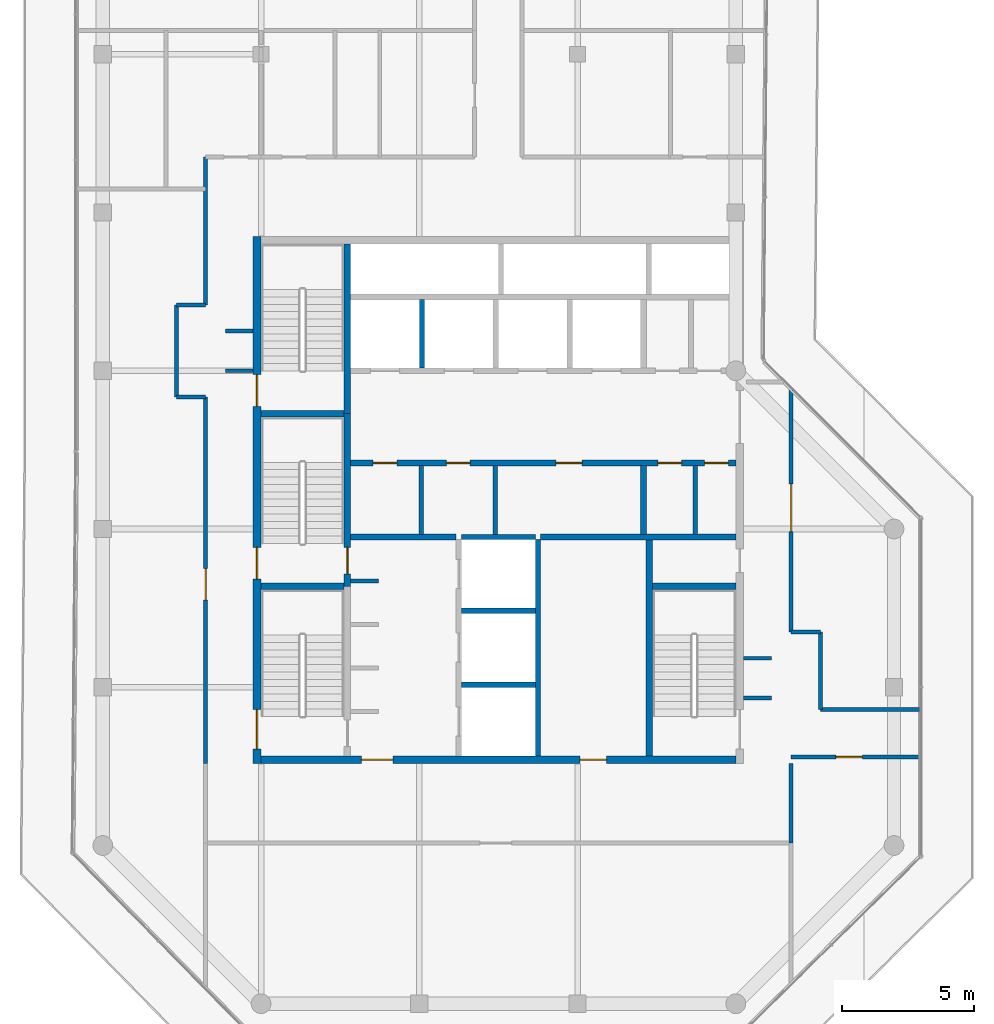
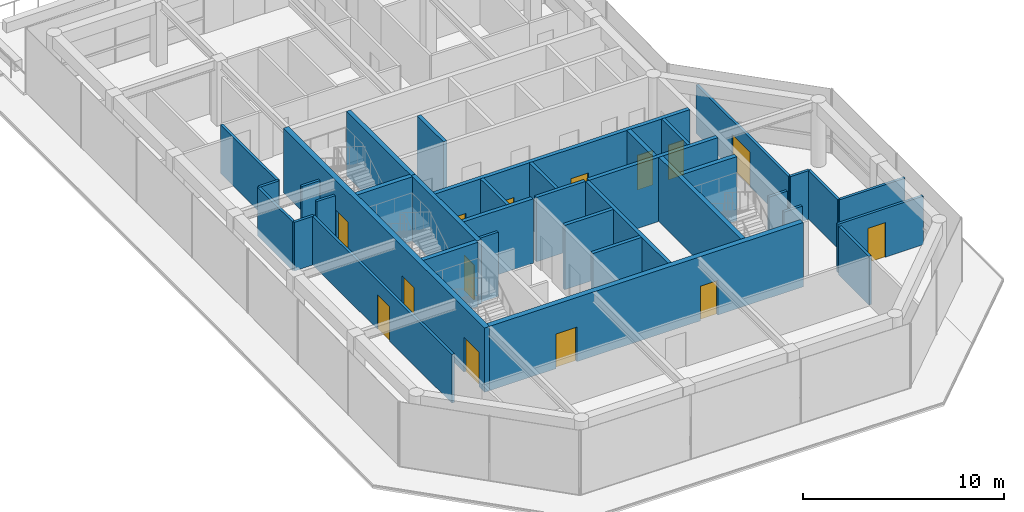
# One storey, part 13 of 17: 36 walls, 14 doors, 14 openings.
"""IFC4 building model written with IfcOpenShell, lengths in metres."""

from ifc_helpers import new_model, si_unit, direction, frame, frame_2d, origin, place, context, subcontext, project, spatial, rectangle, extrude, material, layer, layer_set, type_object, element, fill, save


model = new_model("IFC4")

# Units and contexts
model_context = context("Model", 3, precision=1e-05, world=origin(), true_north=direction((0.0, 1.0)))
body_context = subcontext(model_context, "Body", "Model", "MODEL_VIEW")
ifc_project = project(units=[si_unit("LENGTHUNIT", "METRE"), si_unit("AREAUNIT", "SQUARE_METRE"), si_unit("VOLUMEUNIT", "CUBIC_METRE"), si_unit("PLANEANGLEUNIT", "RADIAN"), si_unit("MASSUNIT", "GRAM", prefix="KILO")], contexts=[model_context])

# Site, building, storey
site_placement = place(None, origin())
site = spatial("IfcSite", under=ifc_project, at=site_placement, CompositionType="ELEMENT")
building_placement = place(site_placement, origin())
building = spatial("IfcBuilding", under=site, at=building_placement, Name="Welwitschia Terrace Campus", CompositionType="ELEMENT")
storey_placement = place(building_placement, frame((0.0, 0.0, 335.60009765625)))
storey = spatial("IfcBuildingStorey", under=building, at=storey_placement, Name="L75", CompositionType="ELEMENT", Elevation=335.60009765625)

# Walls
ifc_material_1 = material(Name="Concrete C32/40", Category="concrete")
ifc_layer_1 = layer(ifc_material_1, 0.175048828125)
ifc_layer_set_1 = layer_set([ifc_layer_1], Name="Concrete C32/40")
wall_type_1 = type_object("IfcWallType", Name="Core partition 175 Concrete C32/40", PredefinedType="PARTITIONING", material=ifc_layer_set_1)
for number, where, z_axis, x_axis, name in (
    (1, (12.074951171875, 13.800048828125, 0.0), (0.0, 0.0, 1.0), (0.0, 1.0, 0.0), "Core partition"),
    (2, (14.875, 13.800048828125, 0.0), (0.0, 0.0, 1.0), (0.0, 1.0, 0.0), "Core partition"),
    (3, (22.469970703125, 13.800048828125, 0.0), (0.0, 0.0, 1.0), (0.0, 1.0, 0.0), "Core partition"),
):
    element("IfcWall", number, at=place(storey_placement, frame(where, z_axis=z_axis, x_axis=x_axis)), inside=storey, type_object=wall_type_1, Name=name, PredefinedType="PARTITIONING", context=body_context, shape_type="SweptSolid", body=[
        extrude(rectangle(XDim=2.599853515625, YDim=0.175048828125, at=frame_2d((1.2998046875, 0.0))), origin(), (0.0, 0.0, 1.0), 3.89990234375),
    ])
ifc_material_2 = material(Name="Concrete C32/40", Category="concrete")
ifc_layer_2 = layer(ifc_material_2, 0.22509765625)
ifc_layer_set_2 = layer_set([ifc_layer_2], Name="Concrete C32/40")
wall_type_2 = type_object("IfcWallType", Name="Core partition 225 Concrete C32/40", PredefinedType="PARTITIONING", material=ifc_layer_set_2)
wall_1_placement = place(storey_placement, frame((9.39990234375, 13.699951171875, 0.0), z_axis=(0.0, 0.0, 1.0), x_axis=(1.0, 0.0, 0.0)))
element("IfcWall", 4, at=wall_1_placement, inside=storey, type_object=wall_type_2, Name="Core partition", PredefinedType="PARTITIONING", context=body_context, shape_type="SweptSolid", body=[
    extrude(rectangle(XDim=4.0, YDim=0.22509765625, at=frame_2d((2.0, 0.0))), origin(), (0.0, 0.0, 1.0), 3.89990234375),
])
wall_2_placement = place(storey_placement, frame((16.60009765625, 13.699951171875, 0.0), z_axis=(0.0, 0.0, 1.0), x_axis=(1.0, 0.0, 0.0)))
element("IfcWall", 5, at=wall_2_placement, inside=storey, type_object=wall_type_2, Name="Core partition", PredefinedType="PARTITIONING", context=body_context, shape_type="SweptSolid", body=[
    extrude(rectangle(XDim=7.39990234375, YDim=0.22509765625, at=frame_2d((3.699951171875, 0.0))), origin(), (0.0, 0.0, 1.0), 3.89990234375),
])

# Wall, openings, doors
wall_3_placement = place(storey_placement, frame((9.39990234375, 16.5, 0.0), z_axis=(0.0, 0.0, 1.0), x_axis=(1.0, 0.0, 0.0)))
wall_3 = element("IfcWall", 6, at=wall_3_placement, inside=storey, type_object=wall_type_2, Name="Core partition", PredefinedType="PARTITIONING", context=body_context, shape_type="SweptSolid", body=[
    extrude(rectangle(XDim=14.60009765625, YDim=0.22509765625, at=frame_2d((7.300048828125, 0.0))), origin(), (0.0, 0.0, 1.0), 3.89990234375),
])
opening_1_placement = place(wall_3_placement, frame((0.85009765625, 0.0, 0.0)))
opening_1 = element("IfcOpeningElement", 7, at=opening_1_placement, cuts=wall_3, Name="Opening DR09", PredefinedType="OPENING", context=body_context, shape_type="SweptSolid", body=[
    extrude(rectangle(XDim=0.89990234375, YDim=2.10009765625, at=frame_2d((0.449951171875, 1.050048828125))), frame((0.0, 0.12255859375, 0.0), z_axis=(0.0, -1.0, 0.0), x_axis=(1.0, 0.0, 0.0)), (0.0, 0.0, 1.0), 0.2451171875),
])
opening_2_placement = place(wall_3_placement, frame((3.625, 0.0, 0.0)))
opening_2 = element("IfcOpeningElement", 8, at=opening_2_placement, cuts=wall_3, Name="Opening DR09", PredefinedType="OPENING", context=body_context, shape_type="SweptSolid", body=[
    extrude(rectangle(XDim=0.89990234375, YDim=2.10009765625, at=frame_2d((0.449951171875, 1.050048828125))), frame((0.0, 0.12255859375, 0.0), z_axis=(0.0, -1.0, 0.0), x_axis=(1.0, 0.0, 0.0)), (0.0, 0.0, 1.0), 0.2451171875),
])
opening_3_placement = place(wall_3_placement, frame((7.77490234375, 0.0, 0.0)))
opening_3 = element("IfcOpeningElement", 9, at=opening_3_placement, cuts=wall_3, Name="Opening DR10", PredefinedType="OPENING", context=body_context, shape_type="SweptSolid", body=[
    extrude(rectangle(XDim=1.0, YDim=2.10009765625, at=frame_2d((0.5, 1.050048828125))), frame((0.0, 0.12255859375, 0.0), z_axis=(0.0, -1.0, 0.0), x_axis=(1.0, 0.0, 0.0)), (0.0, 0.0, 1.0), 0.2451171875),
])
opening_4_placement = place(wall_3_placement, frame((11.6474609375, 0.0, 0.0)))
opening_4 = element("IfcOpeningElement", 10, at=opening_4_placement, cuts=wall_3, Name="Opening DR09", PredefinedType="OPENING", context=body_context, shape_type="SweptSolid", body=[
    extrude(rectangle(XDim=0.89990234375, YDim=2.10009765625, at=frame_2d((0.449951171875, 1.050048828125))), frame((0.0, 0.12255859375, 0.0), z_axis=(0.0, -1.0, 0.0), x_axis=(1.0, 0.0, 0.0)), (0.0, 0.0, 1.0), 0.2451171875),
])
opening_5_placement = place(wall_3_placement, frame((13.422607421875, 0.0, 0.0)))
opening_5 = element("IfcOpeningElement", 11, at=opening_5_placement, cuts=wall_3, Name="Opening DR09", PredefinedType="OPENING", context=body_context, shape_type="SweptSolid", body=[
    extrude(rectangle(XDim=0.89990234375, YDim=2.10009765625, at=frame_2d((0.449951171875, 1.050048828125))), frame((0.0, 0.12255859375, 0.0), z_axis=(0.0, -1.0, 0.0), x_axis=(1.0, 0.0, 0.0)), (0.0, 0.0, 1.0), 0.2451171875),
])
ifc_material_3 = material(Name="Steel S275", Category="steel")
door_type_1 = type_object("IfcDoorType", Name="Core door DR09", OperationType="SINGLE_SWING_LEFT", PredefinedType="DOOR", material=ifc_material_3)
door_1_placement = place(opening_1_placement, origin())
door_1 = element("IfcDoor", 12, at=door_1_placement, inside=storey, type_object=door_type_1, Name="Door BAYL1-D", OperationType="SINGLE_SWING_LEFT", OverallHeight=2.10009765625, OverallWidth=0.89990234375, PredefinedType="DOOR", context=body_context, shape_type="SweptSolid", body=[
    extrude(rectangle(XDim=0.89990234375, YDim=2.10009765625, at=frame_2d((0.449951171875, 1.050048828125))), frame((0.0, 0.02490234375, 0.0), z_axis=(0.0, -1.0, 0.0), x_axis=(1.0, 0.0, 0.0)), (0.0, 0.0, 1.0), 0.050048828125),
])
fill(opening_1, door_1)
door_2_placement = place(opening_2_placement, origin())
door_2 = element("IfcDoor", 13, at=door_2_placement, inside=storey, type_object=door_type_1, Name="Door BAYL2-D", OperationType="SINGLE_SWING_LEFT", OverallHeight=2.10009765625, OverallWidth=0.89990234375, PredefinedType="DOOR", context=body_context, shape_type="SweptSolid", body=[
    extrude(rectangle(XDim=0.89990234375, YDim=2.10009765625, at=frame_2d((0.449951171875, 1.050048828125))), frame((0.0, 0.02490234375, 0.0), z_axis=(0.0, -1.0, 0.0), x_axis=(1.0, 0.0, 0.0)), (0.0, 0.0, 1.0), 0.050048828125),
])
fill(opening_2, door_2)
door_3_placement = place(opening_4_placement, origin())
door_3 = element("IfcDoor", 14, at=door_3_placement, inside=storey, type_object=door_type_1, Name="Door EL1-D", OperationType="SINGLE_SWING_RIGHT", OverallHeight=2.10009765625, OverallWidth=0.89990234375, PredefinedType="DOOR", context=body_context, shape_type="SweptSolid", body=[
    extrude(rectangle(XDim=0.89990234375, YDim=2.10009765625, at=frame_2d((0.449951171875, 1.050048828125))), frame((0.0, 0.02490234375, 0.0), z_axis=(0.0, -1.0, 0.0), x_axis=(1.0, 0.0, 0.0)), (0.0, 0.0, 1.0), 0.050048828125),
])
fill(opening_4, door_3)
door_4_placement = place(opening_5_placement, origin())
door_4 = element("IfcDoor", 15, at=door_4_placement, inside=storey, type_object=door_type_1, Name="Door EL2-D", OperationType="SINGLE_SWING_RIGHT", OverallHeight=2.10009765625, OverallWidth=0.89990234375, PredefinedType="DOOR", context=body_context, shape_type="SweptSolid", body=[
    extrude(rectangle(XDim=0.89990234375, YDim=2.10009765625, at=frame_2d((0.449951171875, 1.050048828125))), frame((0.0, 0.02490234375, 0.0), z_axis=(0.0, -1.0, 0.0), x_axis=(1.0, 0.0, 0.0)), (0.0, 0.0, 1.0), 0.050048828125),
])
fill(opening_5, door_4)
ifc_material_4 = material(Name="Steel S275", Category="steel")
door_type_2 = type_object("IfcDoorType", Name="Core door DR10", OperationType="SINGLE_SWING_LEFT", PredefinedType="DOOR", material=ifc_material_4)
door_5_placement = place(opening_3_placement, origin())
door_5 = element("IfcDoor", 16, at=door_5_placement, inside=storey, type_object=door_type_2, Name="Door BAYL3-D", OperationType="SINGLE_SWING_RIGHT", OverallHeight=2.10009765625, OverallWidth=1.0, PredefinedType="DOOR", context=body_context, shape_type="SweptSolid", body=[
    extrude(rectangle(XDim=1.0, YDim=2.10009765625, at=frame_2d((0.5, 1.050048828125))), frame((0.0, 0.02490234375, 0.0), z_axis=(0.0, -1.0, 0.0), x_axis=(1.0, 0.0, 0.0)), (0.0, 0.0, 1.0), 0.050048828125),
])
fill(opening_3, door_5)

# Walls
wall_4_placement = place(storey_placement, frame((20.5, 13.800048828125, 0.0), z_axis=(0.0, 0.0, 1.0), x_axis=(0.0, 1.0, 0.0)))
element("IfcWall", 17, at=wall_4_placement, inside=storey, type_object=wall_type_2, Name="Core partition", PredefinedType="PARTITIONING", context=body_context, shape_type="SweptSolid", body=[
    extrude(rectangle(XDim=2.599853515625, YDim=0.22509765625, at=frame_2d((1.2998046875, 0.0))), origin(), (0.0, 0.0, 1.0), 3.89990234375),
])
ifc_material_5 = material(Name="Concrete C50/60", Category="concrete")
ifc_layer_3 = layer(ifc_material_5, 0.14990234375)
ifc_layer_set_3 = layer_set([ifc_layer_3], Name="Concrete C50/60")
wall_type_3 = type_object("IfcWallType", Name="Core wall 150 Concrete C50/60", PredefinedType="SHEAR", material=ifc_layer_set_3)
wall_5_placement = place(storey_placement, frame((9.39990234375, 12.02490234375, 0.0), z_axis=(0.0, 0.0, 1.0), x_axis=(1.0, 0.0, 0.0)))
element("IfcWall", 18, at=wall_5_placement, inside=storey, type_object=wall_type_3, Name="Core wall", PredefinedType="SHEAR", context=body_context, shape_type="SweptSolid", body=[
    extrude(rectangle(XDim=1.050048828125, YDim=0.14990234375, at=frame_2d((0.52490234375, 0.0))), origin(), (0.0, 0.0, 1.0), 3.89990234375),
])
ifc_material_6 = material(Name="Concrete C50/60", Category="concrete")
ifc_layer_4 = layer(ifc_material_6, 0.199951171875)
ifc_layer_set_4 = layer_set([ifc_layer_4], Name="Concrete C50/60")
wall_type_4 = type_object("IfcWallType", Name="Core wall 200 Concrete C50/60", PredefinedType="SHEAR", material=ifc_layer_set_4)
for number, where, z_axis, x_axis, name in (
    (19, (13.60009765625, 8.10009765625, 0.0), (0.0, 0.0, 1.0), (1.0, 0.0, 0.0), "Core wall"),
    (20, (13.60009765625, 10.89990234375, 0.0), (0.0, 0.0, 1.0), (1.0, 0.0, 0.0), "Core wall"),
    (21, (13.60009765625, 13.699951171875, 0.0), (0.0, 0.0, 1.0), (1.0, 0.0, 0.0), "Core wall"),
):
    element("IfcWall", number, at=place(storey_placement, frame(where, z_axis=z_axis, x_axis=x_axis)), inside=storey, type_object=wall_type_4, Name=name, PredefinedType="SHEAR", context=body_context, shape_type="SweptSolid", body=[
        extrude(rectangle(XDim=2.7998046875, YDim=0.199951171875, at=frame_2d((1.39990234375, 0.0))), origin(), (0.0, 0.0, 1.0), 3.89990234375),
    ])
wall_6_placement = place(storey_placement, frame((16.5, 5.39990234375, 0.0), z_axis=(0.0, 0.0, 1.0), x_axis=(0.0, 1.0, 0.0)))
element("IfcWall", 22, at=wall_6_placement, inside=storey, type_object=wall_type_4, Name="Core wall", PredefinedType="SHEAR", context=body_context, shape_type="SweptSolid", body=[
    extrude(rectangle(XDim=8.2001953125, YDim=0.199951171875, at=frame_2d((4.10009765625, 0.0))), origin(), (0.0, 0.0, 1.0), 3.89990234375),
])
ifc_material_7 = material(Name="Concrete C50/60", Category="concrete")
ifc_layer_5 = layer(ifc_material_7, 0.25)
ifc_layer_set_5 = layer_set([ifc_layer_5], Name="Concrete C50/60")
wall_type_5 = type_object("IfcWallType", Name="Core wall 250 Concrete C50/60", PredefinedType="SHEAR", material=ifc_layer_set_5)
for number, where, z_axis, x_axis, name in (
    (23, (6.0, 11.824951171875, 0.0), (0.0, 0.0, 1.0), (1.0, 0.0, 0.0), "Core wall"),
    (24, (20.85009765625, 11.824951171875, 0.0), (0.0, 0.0, 1.0), (1.0, 0.0, 0.0), "Core wall"),
    (25, (6.0, 18.375, 0.0), (0.0, 0.0, 1.0), (1.0, 0.0, 0.0), "Core wall"),
):
    element("IfcWall", number, at=place(storey_placement, frame(where, z_axis=z_axis, x_axis=x_axis)), inside=storey, type_object=wall_type_5, Name=name, PredefinedType="SHEAR", context=body_context, shape_type="SweptSolid", body=[
        extrude(rectangle(XDim=3.14990234375, YDim=0.25, at=frame_2d((1.574951171875, 0.0))), origin(), (0.0, 0.0, 1.0), 3.89990234375),
    ])

# Wall, opening, door
wall_7_placement = place(storey_placement, frame((9.27490234375, 18.375, 0.0), z_axis=(0.0, 0.0, 1.0), x_axis=(0.0, -1.0, 0.0)))
wall_7 = element("IfcWall", 26, at=wall_7_placement, inside=storey, type_object=wall_type_5, Name="Core wall", PredefinedType="SHEAR", context=body_context, shape_type="SweptSolid", body=[
    extrude(rectangle(XDim=6.550048828125, YDim=0.25, at=frame_2d((3.27490234375, 0.0))), origin(), (0.0, 0.0, 1.0), 3.89990234375),
])
opening_6_placement = place(wall_7_placement, frame((5.074951171875, 0.0, 0.0)))
opening_6 = element("IfcOpeningElement", 27, at=opening_6_placement, cuts=wall_7, Name="Opening DS10", PredefinedType="OPENING", context=body_context, shape_type="SweptSolid", body=[
    extrude(rectangle(XDim=1.0, YDim=2.10009765625, at=frame_2d((0.5, 1.050048828125))), frame((0.0, 0.135009765625, 0.0), z_axis=(0.0, -1.0, 0.0), x_axis=(1.0, 0.0, 0.0)), (0.0, 0.0, 1.0), 0.27001953125),
])
ifc_material_8 = material(Name="Steel S275", Category="steel")
door_type_3 = type_object("IfcDoorType", Name="Core door DS10", OperationType="SINGLE_SWING_LEFT", PredefinedType="DOOR", material=ifc_material_8)
door_6_placement = place(opening_6_placement, origin())
door_6 = element("IfcDoor", 28, at=door_6_placement, inside=storey, type_object=door_type_3, Name="Door S3-FL", OperationType="SINGLE_SWING_RIGHT", OverallHeight=2.10009765625, OverallWidth=1.0, PredefinedType="DOOR", context=body_context, shape_type="SweptSolid", body=[
    extrude(rectangle(XDim=1.0, YDim=2.10009765625, at=frame_2d((0.5, 1.050048828125))), frame((0.0, 0.02490234375, 0.0), z_axis=(0.0, -1.0, 0.0), x_axis=(1.0, 0.0, 0.0)), (0.0, 0.0, 1.0), 0.050048828125),
])
fill(opening_6, door_6)

# Walls
wall_8_placement = place(storey_placement, frame((9.27490234375, 18.375, 0.0), z_axis=(0.0, 0.0, 1.0), x_axis=(0.0, 1.0, 0.0)))
element("IfcWall", 29, at=wall_8_placement, inside=storey, type_object=wall_type_5, Name="Core wall", PredefinedType="SHEAR", context=body_context, shape_type="SweptSolid", body=[
    extrude(rectangle(XDim=6.425048828125, YDim=0.25, at=frame_2d((3.21240234375, 0.0))), origin(), (0.0, 0.0, 1.0), 3.89990234375),
])
wall_9_placement = place(storey_placement, frame((20.72509765625, 5.39990234375, 0.0), z_axis=(0.0, 0.0, 1.0), x_axis=(0.0, 1.0, 0.0)))
element("IfcWall", 30, at=wall_9_placement, inside=storey, type_object=wall_type_5, Name="Core wall", PredefinedType="SHEAR", context=body_context, shape_type="SweptSolid", body=[
    extrude(rectangle(XDim=8.2001953125, YDim=0.25, at=frame_2d((4.10009765625, 0.0))), origin(), (0.0, 0.0, 1.0), 3.89990234375),
])

# Wall, openings, doors
ifc_material_9 = material(Name="Concrete C50/60", Category="concrete")
ifc_layer_6 = layer(ifc_material_9, 0.300048828125)
ifc_layer_set_6 = layer_set([ifc_layer_6], Name="Concrete C50/60")
wall_type_6 = type_object("IfcWallType", Name="Core wall 300 Concrete C50/60", PredefinedType="SHEAR", material=ifc_layer_set_6)
wall_10_placement = place(storey_placement, frame((5.85009765625, 5.10009765625, 0.0), z_axis=(0.0, 0.0, 1.0), x_axis=(0.0, 1.0, 0.0)))
wall_10 = element("IfcWall", 31, at=wall_10_placement, inside=storey, type_object=wall_type_6, Name="Core outer wall", PredefinedType="SHEAR", context=body_context, shape_type="SweptSolid", body=[
    extrude(rectangle(XDim=20.0, YDim=0.300048828125, at=frame_2d((10.0, 0.0))), origin(), (0.0, 0.0, 1.0), 3.89990234375),
])
opening_7_placement = place(wall_10_placement, frame((0.550048828125, 0.0, 0.0)))
opening_7 = element("IfcOpeningElement", 32, at=opening_7_placement, cuts=wall_10, Name="Opening DS15", PredefinedType="OPENING", context=body_context, shape_type="SweptSolid", body=[
    extrude(rectangle(XDim=1.5, YDim=2.10009765625, at=frame_2d((0.75, 1.050048828125))), frame((0.0, 0.159912109375, 0.0), z_axis=(0.0, -1.0, 0.0), x_axis=(1.0, 0.0, 0.0)), (0.0, 0.0, 1.0), 0.320068359375),
])
opening_8_placement = place(wall_10_placement, frame((7.0, 0.0, 0.0)))
opening_8 = element("IfcOpeningElement", 33, at=opening_8_placement, cuts=wall_10, Name="Opening DS12", PredefinedType="OPENING", context=body_context, shape_type="SweptSolid", body=[
    extrude(rectangle(XDim=1.199951171875, YDim=2.10009765625, at=frame_2d((0.60009765625, 1.050048828125))), frame((0.0, 0.159912109375, 0.0), z_axis=(0.0, -1.0, 0.0), x_axis=(1.0, 0.0, 0.0)), (0.0, 0.0, 1.0), 0.320068359375),
])
opening_9_placement = place(wall_10_placement, frame((13.550048828125, 0.0, 0.0)))
opening_9 = element("IfcOpeningElement", 34, at=opening_9_placement, cuts=wall_10, Name="Opening DS12", PredefinedType="OPENING", context=body_context, shape_type="SweptSolid", body=[
    extrude(rectangle(XDim=1.199951171875, YDim=2.10009765625, at=frame_2d((0.60009765625, 1.050048828125))), frame((0.0, 0.159912109375, 0.0), z_axis=(0.0, -1.0, 0.0), x_axis=(1.0, 0.0, 0.0)), (0.0, 0.0, 1.0), 0.320068359375),
])
ifc_material_10 = material(Name="Steel S275", Category="steel")
door_type_4 = type_object("IfcDoorType", Name="Core door DS12", OperationType="SINGLE_SWING_LEFT", PredefinedType="DOOR", material=ifc_material_10)
door_7_placement = place(opening_8_placement, origin())
door_7 = element("IfcDoor", 35, at=door_7_placement, inside=storey, type_object=door_type_4, Name="Door S3-out", OperationType="SINGLE_SWING_LEFT", OverallHeight=2.10009765625, OverallWidth=1.199951171875, PredefinedType="DOOR", context=body_context, shape_type="SweptSolid", body=[
    extrude(rectangle(XDim=1.199951171875, YDim=2.10009765625, at=frame_2d((0.60009765625, 1.050048828125))), frame((0.0, 0.02490234375, 0.0), z_axis=(0.0, -1.0, 0.0), x_axis=(1.0, 0.0, 0.0)), (0.0, 0.0, 1.0), 0.050048828125),
])
fill(opening_8, door_7)
door_8_placement = place(opening_9_placement, origin())
door_8 = element("IfcDoor", 36, at=door_8_placement, inside=storey, type_object=door_type_4, Name="Door S4-out", OperationType="SINGLE_SWING_RIGHT", OverallHeight=2.10009765625, OverallWidth=1.199951171875, PredefinedType="DOOR", context=body_context, shape_type="SweptSolid", body=[
    extrude(rectangle(XDim=1.199951171875, YDim=2.10009765625, at=frame_2d((0.60009765625, 1.050048828125))), frame((0.0, 0.02490234375, 0.0), z_axis=(0.0, -1.0, 0.0), x_axis=(1.0, 0.0, 0.0)), (0.0, 0.0, 1.0), 0.050048828125),
])
fill(opening_9, door_8)
ifc_material_11 = material(Name="Steel S275", Category="steel")
door_type_5 = type_object("IfcDoorType", Name="Core door DS15", OperationType="DOUBLE_DOOR_SINGLE_SWING", PredefinedType="DOOR", material=ifc_material_11)
door_9_placement = place(opening_7_placement, origin())
door_9 = element("IfcDoor", 37, at=door_9_placement, inside=storey, type_object=door_type_5, Name="Door S1-out", OperationType="DOUBLE_DOOR_SINGLE_SWING", OverallHeight=2.10009765625, OverallWidth=1.5, PredefinedType="DOOR", context=body_context, shape_type="SweptSolid", body=[
    extrude(rectangle(XDim=1.5, YDim=2.10009765625, at=frame_2d((0.75, 1.050048828125))), frame((0.0, 0.02490234375, 0.0), z_axis=(0.0, -1.0, 0.0), x_axis=(1.0, 0.0, 0.0)), (0.0, 0.0, 1.0), 0.050048828125),
])
fill(opening_7, door_9)

wall_11_placement = place(storey_placement, frame((24.0, 5.25, 0.0), z_axis=(0.0, 0.0, 1.0), x_axis=(-1.0, 0.0, 0.0)))
wall_11 = element("IfcWall", 38, at=wall_11_placement, inside=storey, type_object=wall_type_6, Name="Core outer wall", PredefinedType="SHEAR", context=body_context, shape_type="SweptSolid", body=[
    extrude(rectangle(XDim=18.0, YDim=0.300048828125, at=frame_2d((9.0, 0.0))), origin(), (0.0, 0.0, 1.0), 3.89990234375),
])
opening_10_placement = place(wall_11_placement, frame((13.0, 0.0, 0.0)))
opening_10 = element("IfcOpeningElement", 39, at=opening_10_placement, cuts=wall_11, Name="Opening DF12", PredefinedType="OPENING", context=body_context, shape_type="SweptSolid", body=[
    extrude(rectangle(XDim=1.199951171875, YDim=2.10009765625, at=frame_2d((0.60009765625, 1.050048828125))), frame((0.0, 0.159912109375, 0.0), z_axis=(0.0, -1.0, 0.0), x_axis=(1.0, 0.0, 0.0)), (0.0, 0.0, 1.0), 0.320068359375),
])
opening_11_placement = place(wall_11_placement, frame((4.89990234375, 0.0, 0.0)))
opening_11 = element("IfcOpeningElement", 40, at=opening_11_placement, cuts=wall_11, Name="Opening DR10", PredefinedType="OPENING", context=body_context, shape_type="SweptSolid", body=[
    extrude(rectangle(XDim=1.0, YDim=2.10009765625, at=frame_2d((0.5, 1.050048828125))), frame((0.0, 0.159912109375, 0.0), z_axis=(0.0, -1.0, 0.0), x_axis=(1.0, 0.0, 0.0)), (0.0, 0.0, 1.0), 0.320068359375),
])
ifc_material_12 = material(Name="Steel S275", Category="steel")
door_type_6 = type_object("IfcDoorType", Name="Core door DF12", OperationType="SINGLE_SWING_LEFT", PredefinedType="DOOR", material=ifc_material_12)
door_10_placement = place(opening_10_placement, origin())
door_10 = element("IfcDoor", 41, at=door_10_placement, inside=storey, type_object=door_type_6, Name="Door FL-out", OperationType="SINGLE_SWING_RIGHT", OverallHeight=2.10009765625, OverallWidth=1.199951171875, PredefinedType="DOOR", context=body_context, shape_type="SweptSolid", body=[
    extrude(rectangle(XDim=1.199951171875, YDim=2.10009765625, at=frame_2d((0.60009765625, 1.050048828125))), frame((0.0, 0.02490234375, 0.0), z_axis=(0.0, -1.0, 0.0), x_axis=(1.0, 0.0, 0.0)), (0.0, 0.0, 1.0), 0.050048828125),
])
fill(opening_10, door_10)
door_11_placement = place(opening_11_placement, origin())
door_11 = element("IfcDoor", 42, at=door_11_placement, inside=storey, type_object=door_type_2, Name="Door F1-out", OperationType="SINGLE_SWING_LEFT", OverallHeight=2.10009765625, OverallWidth=1.0, PredefinedType="DOOR", context=body_context, shape_type="SweptSolid", body=[
    extrude(rectangle(XDim=1.0, YDim=2.10009765625, at=frame_2d((0.5, 1.050048828125))), frame((0.0, 0.02490234375, 0.0), z_axis=(0.0, -1.0, 0.0), x_axis=(1.0, 0.0, 0.0)), (0.0, 0.0, 1.0), 0.050048828125),
])
fill(opening_11, door_11)

# Walls
ifc_material_13 = material(Name="Gypsum board on steel studs", Category="steel")
ifc_layer_7 = layer(ifc_material_13, 0.14990234375)
ifc_layer_set_7 = layer_set([ifc_layer_7], Name="Gypsum board on steel studs")
wall_type_7 = type_object("IfcWallType", Name="Corridor partition 150 EI 30", PredefinedType="PARTITIONING", material=ifc_layer_set_7)
wall_12_placement = place(storey_placement, frame((2.7900390625, 19.0, 0.0), z_axis=(0.0, 0.0, 1.0), x_axis=(0.0, 1.0, 0.0)))
element("IfcWall", 43, at=wall_12_placement, inside=storey, type_object=wall_type_7, Name="Partition", PredefinedType="PARTITIONING", context=body_context, shape_type="SweptSolid", body=[
    extrude(rectangle(XDim=3.5, YDim=0.14990234375, at=frame_2d((1.75, 0.0))), origin(), (0.0, 0.0, 1.0), 2.949951171875),
])
for number, where, z_axis, x_axis, name in (
    (44, (2.7900390625, 19.0, 0.0), (0.0, 0.0, 1.0), (1.0, 0.0, 0.0), "Partition"),
    (45, (2.7900390625, 22.5, 0.0), (0.0, 0.0, 1.0), (1.0, 0.0, 0.0), "Partition"),
):
    element("IfcWall", number, at=place(storey_placement, frame(where, z_axis=z_axis, x_axis=x_axis)), inside=storey, type_object=wall_type_7, Name=name, PredefinedType="PARTITIONING", context=body_context, shape_type="SweptSolid", body=[
        extrude(rectangle(XDim=1.10986328125, YDim=0.14990234375, at=frame_2d((0.554931640625, 0.0))), origin(), (0.0, 0.0, 1.0), 2.949951171875),
    ])

# Wall, opening, door
wall_13_placement = place(storey_placement, frame((3.89990234375, 5.10009765625, 0.0), z_axis=(0.0, 0.0, 1.0), x_axis=(0.0, 1.0, 0.0)))
wall_13 = element("IfcWall", 46, at=wall_13_placement, inside=storey, type_object=wall_type_7, Name="Partition", PredefinedType="PARTITIONING", context=body_context, shape_type="SweptSolid", body=[
    extrude(rectangle(XDim=13.89990234375, YDim=0.14990234375, at=frame_2d((6.949951171875, 0.0))), origin(), (0.0, 0.0, 1.0), 2.949951171875),
])
opening_12_placement = place(wall_13_placement, frame((6.199951171875, 0.0, 0.0)))
opening_12 = element("IfcOpeningElement", 47, at=opening_12_placement, cuts=wall_13, Name="Opening DI12", PredefinedType="OPENING", context=body_context, shape_type="SweptSolid", body=[
    extrude(rectangle(XDim=1.199951171875, YDim=2.10009765625, at=frame_2d((0.60009765625, 1.050048828125))), frame((0.0, 0.0849609375, 0.0), z_axis=(0.0, -1.0, 0.0), x_axis=(1.0, 0.0, 0.0)), (0.0, 0.0, 1.0), 0.169921875),
])
ifc_material_14 = material(Name="Timber veneered door", Category="wood")
door_type_7 = type_object("IfcDoorType", Name="Interior door DI12", OperationType="NOTDEFINED", PredefinedType="DOOR", material=ifc_material_14)
door_12_placement = place(opening_12_placement, origin())
door_12 = element("IfcDoor", 48, at=door_12_placement, inside=storey, type_object=door_type_7, Name="Door L75 1290", OperationType="SINGLE_SWING_LEFT", OverallHeight=2.10009765625, OverallWidth=1.199951171875, PredefinedType="DOOR", context=body_context, shape_type="SweptSolid", body=[
    extrude(rectangle(XDim=1.199951171875, YDim=2.10009765625, at=frame_2d((0.60009765625, 1.050048828125))), frame((0.0, 0.02490234375, 0.0), z_axis=(0.0, -1.0, 0.0), x_axis=(1.0, 0.0, 0.0)), (0.0, 0.0, 1.0), 0.050048828125),
])
fill(opening_12, door_12)

# Walls
wall_14_placement = place(storey_placement, frame((3.89990234375, 22.5, 0.0), z_axis=(0.0, 0.0, 1.0), x_axis=(0.0, 1.0, 0.0)))
element("IfcWall", 49, at=wall_14_placement, inside=storey, type_object=wall_type_7, Name="Partition", PredefinedType="PARTITIONING", context=body_context, shape_type="SweptSolid", body=[
    extrude(rectangle(XDim=5.60009765625, YDim=0.14990234375, at=frame_2d((2.800048828125, 0.0))), origin(), (0.0, 0.0, 1.0), 2.949951171875),
])
for number, where, z_axis, x_axis, name in (
    (50, (4.64990234375, 20.0, 0.0), (0.0, 0.0, 1.0), (1.0, 0.0, 0.0), "Partition"),
    (51, (4.64990234375, 21.5, 0.0), (0.0, 0.0, 1.0), (1.0, 0.0, 0.0), "Partition"),
    (52, (24.300048828125, 7.60009765625, 0.0), (0.0, 0.0, 1.0), (1.0, 0.0, 0.0), "Partition"),
    (53, (24.300048828125, 9.10009765625, 0.0), (0.0, 0.0, 1.0), (1.0, 0.0, 0.0), "Partition"),
):
    element("IfcWall", number, at=place(storey_placement, frame(where, z_axis=z_axis, x_axis=x_axis)), inside=storey, type_object=wall_type_7, Name=name, PredefinedType="PARTITIONING", context=body_context, shape_type="SweptSolid", body=[
        extrude(rectangle(XDim=1.050048828125, YDim=0.14990234375, at=frame_2d((0.52490234375, 0.0))), origin(), (0.0, 0.0, 1.0), 2.949951171875),
    ])
wall_15_placement = place(storey_placement, frame((26.10009765625, 2.10009765625, 0.0), z_axis=(0.0, 0.0, 1.0), x_axis=(0.0, 1.0, 0.0)))
element("IfcWall", 54, at=wall_15_placement, inside=storey, type_object=wall_type_7, Name="Partition", PredefinedType="PARTITIONING", context=body_context, shape_type="SweptSolid", body=[
    extrude(rectangle(XDim=3.0, YDim=0.14990234375, at=frame_2d((1.5, 0.0))), origin(), (0.0, 0.0, 1.0), 2.949951171875),
])

# Wall, opening, door
wall_16_placement = place(storey_placement, frame((26.10009765625, 10.10009765625, 0.0), z_axis=(0.0, 0.0, 1.0), x_axis=(0.0, 1.0, 0.0)))
wall_16 = element("IfcWall", 55, at=wall_16_placement, inside=storey, type_object=wall_type_7, Name="Partition", PredefinedType="PARTITIONING", context=body_context, shape_type="SweptSolid", body=[
    extrude(rectangle(XDim=9.179931640625, YDim=0.14990234375, at=frame_2d((4.58984375, 0.0))), origin(), (0.0, 0.0, 1.0), 2.949951171875),
])
opening_13_placement = place(wall_16_placement, frame((3.800048828125, 0.0, 0.0)))
opening_13 = element("IfcOpeningElement", 56, at=opening_13_placement, cuts=wall_16, Name="Opening DI18", PredefinedType="OPENING", context=body_context, shape_type="SweptSolid", body=[
    extrude(rectangle(XDim=1.800048828125, YDim=2.10009765625, at=frame_2d((0.89990234375, 1.050048828125))), frame((0.0, 0.0849609375, 0.0), z_axis=(0.0, -1.0, 0.0), x_axis=(1.0, 0.0, 0.0)), (0.0, 0.0, 1.0), 0.169921875),
])
ifc_material_15 = material(Name="Timber veneered door", Category="wood")
door_type_8 = type_object("IfcDoorType", Name="Interior door DI18", OperationType="DOUBLE_DOOR_SINGLE_SWING", PredefinedType="DOOR", material=ifc_material_15)
door_13_placement = place(opening_13_placement, origin())
door_13 = element("IfcDoor", 57, at=door_13_placement, inside=storey, type_object=door_type_8, Name="Door L75 1298", OperationType="SINGLE_SWING_LEFT", OverallHeight=2.10009765625, OverallWidth=1.800048828125, PredefinedType="DOOR", context=body_context, shape_type="SweptSolid", body=[
    extrude(rectangle(XDim=1.800048828125, YDim=2.10009765625, at=frame_2d((0.89990234375, 1.050048828125))), frame((0.0, 0.02490234375, 0.0), z_axis=(0.0, -1.0, 0.0), x_axis=(1.0, 0.0, 0.0)), (0.0, 0.0, 1.0), 0.050048828125),
])
fill(opening_13, door_13)

# Walls
wall_17_placement = place(storey_placement, frame((26.10009765625, 10.10009765625, 0.0), z_axis=(0.0, 0.0, 1.0), x_axis=(1.0, 0.0, 0.0)))
element("IfcWall", 58, at=wall_17_placement, inside=storey, type_object=wall_type_7, Name="Partition", PredefinedType="PARTITIONING", context=body_context, shape_type="SweptSolid", body=[
    extrude(rectangle(XDim=1.10986328125, YDim=0.14990234375, at=frame_2d((0.554931640625, 0.0))), origin(), (0.0, 0.0, 1.0), 2.949951171875),
])
wall_18_placement = place(storey_placement, frame((27.2099609375, 7.14990234375, 0.0), z_axis=(0.0, 0.0, 1.0), x_axis=(0.0, 1.0, 0.0)))
element("IfcWall", 59, at=wall_18_placement, inside=storey, type_object=wall_type_7, Name="Partition", PredefinedType="PARTITIONING", context=body_context, shape_type="SweptSolid", body=[
    extrude(rectangle(XDim=2.9501953125, YDim=0.14990234375, at=frame_2d((1.47509765625, 0.0))), origin(), (0.0, 0.0, 1.0), 2.949951171875),
])
wall_19_placement = place(storey_placement, frame((27.2099609375, 7.14990234375, 0.0), z_axis=(0.0, 0.0, 1.0), x_axis=(1.0, 0.0, 0.0)))
element("IfcWall", 60, at=wall_19_placement, inside=storey, type_object=wall_type_7, Name="Partition", PredefinedType="PARTITIONING", context=body_context, shape_type="SweptSolid", body=[
    extrude(rectangle(XDim=3.77001953125, YDim=0.14990234375, at=frame_2d((1.885009765625, 0.0))), origin(), (0.0, 0.0, 1.0), 2.949951171875),
])

# Wall, opening, door
wall_20_placement = place(storey_placement, frame((30.97998046875, 5.35009765625, 0.0), z_axis=(0.0, 0.0, 1.0), x_axis=(-1.0, 0.0, 0.0)))
wall_20 = element("IfcWall", 61, at=wall_20_placement, inside=storey, type_object=wall_type_7, Name="Partition", PredefinedType="PARTITIONING", context=body_context, shape_type="SweptSolid", body=[
    extrude(rectangle(XDim=4.8798828125, YDim=0.14990234375, at=frame_2d((2.43994140625, 0.0))), origin(), (0.0, 0.0, 1.0), 2.949951171875),
])
opening_14_placement = place(wall_20_placement, frame((2.179931640625, 0.0, 0.0)))
opening_14 = element("IfcOpeningElement", 62, at=opening_14_placement, cuts=wall_20, Name="Opening DI10", PredefinedType="OPENING", context=body_context, shape_type="SweptSolid", body=[
    extrude(rectangle(XDim=1.0, YDim=2.10009765625, at=frame_2d((0.5, 1.050048828125))), frame((0.0, 0.0849609375, 0.0), z_axis=(0.0, -1.0, 0.0), x_axis=(1.0, 0.0, 0.0)), (0.0, 0.0, 1.0), 0.169921875),
])
ifc_material_16 = material(Name="Timber veneered door", Category="wood")
door_type_9 = type_object("IfcDoorType", Name="Interior door DI10", OperationType="NOTDEFINED", PredefinedType="DOOR", material=ifc_material_16)
door_14_placement = place(opening_14_placement, origin())
door_14 = element("IfcDoor", 63, at=door_14_placement, inside=storey, type_object=door_type_9, Name="Door L75 1299", OperationType="SINGLE_SWING_RIGHT", OverallHeight=2.10009765625, OverallWidth=1.0, PredefinedType="DOOR", context=body_context, shape_type="SweptSolid", body=[
    extrude(rectangle(XDim=1.0, YDim=2.10009765625, at=frame_2d((0.5, 1.050048828125))), frame((0.0, 0.02490234375, 0.0), z_axis=(0.0, -1.0, 0.0), x_axis=(1.0, 0.0, 0.0)), (0.0, 0.0, 1.0), 0.050048828125),
])
fill(opening_14, door_14)

# Wall
ifc_material_17 = material(Name="Concrete C32/40", Category="concrete")
ifc_layer_8 = layer(ifc_material_17, 0.199951171875)
ifc_layer_set_8 = layer_set([ifc_layer_8], Name="Concrete C32/40")
wall_type_8 = type_object("IfcWallType", Name="Shaft wall 200 Concrete C32/40", PredefinedType="SOLIDWALL", material=ifc_layer_set_8)
wall_21_placement = place(storey_placement, frame((12.10009765625, 20.10009765625, 0.0), z_axis=(0.0, 0.0, 1.0), x_axis=(0.0, 1.0, 0.0)))
element("IfcWall", 64, at=wall_21_placement, inside=storey, type_object=wall_type_8, Name="Shaft wall", PredefinedType="SOLIDWALL", context=body_context, shape_type="SweptSolid", body=[
    extrude(rectangle(XDim=2.599853515625, YDim=0.199951171875, at=frame_2d((1.2998046875, 0.0))), origin(), (0.0, 0.0, 1.0), 3.89990234375),
])

save(model, "model.ifc")
